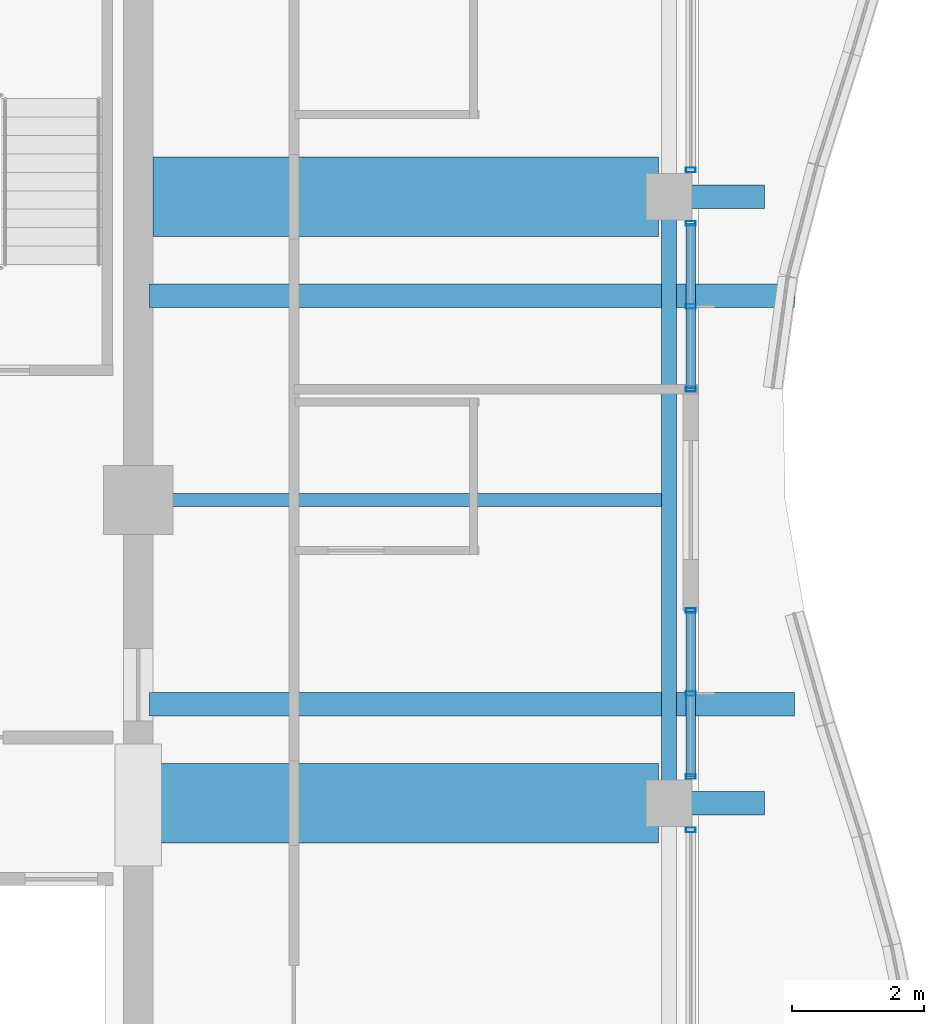
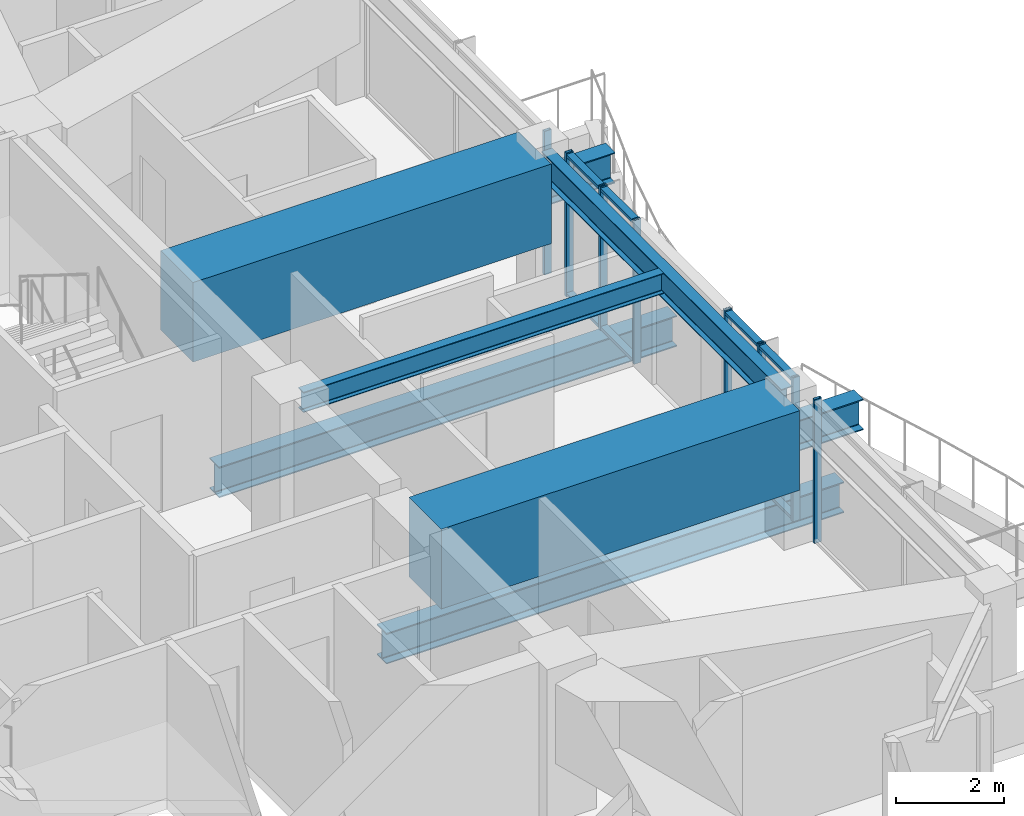
# One storey, part 12 of 31: 12 members, 8 beams, 4 elements without a shape of their own.
"""IFC4 building model written with IfcOpenShell, lengths in metres."""

from ifc_helpers import new_model, si_unit, direction, frame, origin, origin_2d, place, context, subcontext, project, spatial, rectangle, hollow_rectangle, i_section, extrude, material, material_profile, profile_set, type_object, element, aggregate, save


model = new_model("IFC4")

# Units and contexts
model_context = context("Model", 3, precision=1e-05, world=origin(), true_north=direction((0.0, 1.0)))
body_context = subcontext(model_context, "Body", "Model", "MODEL_VIEW")
ifc_project = project(units=[si_unit("LENGTHUNIT", "METRE"), si_unit("AREAUNIT", "SQUARE_METRE"), si_unit("VOLUMEUNIT", "CUBIC_METRE"), si_unit("PLANEANGLEUNIT", "RADIAN"), si_unit("MASSUNIT", "GRAM", prefix="KILO")], contexts=[model_context])

# Site, building, storey
site_placement = place(None, origin())
site = spatial("IfcSite", under=ifc_project, at=site_placement, CompositionType="ELEMENT")
building_placement = place(site_placement, origin())
building = spatial("IfcBuilding", under=site, at=building_placement, Name="Kolvaren Belvedere", CompositionType="ELEMENT")
storey_placement = place(building_placement, frame((0.0, 0.0, 237.39990234375)))
storey = spatial("IfcBuildingStorey", under=building, at=storey_placement, Name="L69", CompositionType="ELEMENT", Elevation=237.39990234375)

# Beams
ifc_material_1 = material(Name="Structural steel ASTM A992 Grade 50", Category="steel")
ifc_material_profile_1 = material_profile(ifc_material_1, i_section(OverallWidth=0.35498046875, OverallDepth=0.696044921875, WebThickness=0.015380859375, FlangeThickness=0.02490234375, FilletRadius=0.02197265625, at=origin_2d()), Name="W27X146")
ifc_profile_set_1 = profile_set([ifc_material_profile_1], Name="Structural steel ASTM A992 Grade 50")
beam_type_1 = type_object("IfcBeamType", Name="BM-CANT-BAL", PredefinedType="BEAM", material=ifc_profile_set_1)
for number, where, z_axis, x_axis, name in (
    (1, (17.949951171875, 4.60009765625, 2.342041015625), (1.0, 0.0, 0.0), (0.0, 1.0, 0.0), "L69 East Picture-Frame Column Corbel P"),
    (2, (17.949951171875, -4.60009765625, 2.342041015625), (1.0, 0.0, 0.0), (0.0, 1.0, 0.0), "L69 East Picture-Frame Column Corbel M"),
):
    element("IfcBeam", number, at=place(storey_placement, frame(where, z_axis=z_axis, x_axis=x_axis)), inside=storey, type_object=beam_type_1, Name=name, PredefinedType="BEAM", context=body_context, shape_type="SweptSolid", body=[
        extrude(i_section(OverallWidth=0.35498046875, OverallDepth=0.696044921875, WebThickness=0.015380859375, FlangeThickness=0.02490234375, FilletRadius=0.02197265625, at=origin_2d()), origin(), (0.0, 0.0, 1.0), 1.449951171875),
    ])
ifc_material_2 = material(Name="Structural steel ASTM A992 Grade 50", Category="steel")
ifc_material_profile_2 = material_profile(ifc_material_2, i_section(OverallWidth=0.35498046875, OverallDepth=0.696044921875, WebThickness=0.015380859375, FlangeThickness=0.02490234375, FilletRadius=0.02197265625, at=origin_2d()), Name="W27X146")
ifc_profile_set_2 = profile_set([ifc_material_profile_2], Name="Structural steel ASTM A992 Grade 50")
beam_type_2 = type_object("IfcBeamType", Name="BM-GIRD-W27X146", PredefinedType="BEAM", material=ifc_profile_set_2)
for number, where, z_axis, x_axis, name in (
    (3, (10.06494140625, -3.10009765625, -0.597900390625), (1.0, 0.0, 0.0), (0.0, 1.0, 0.0), "L69 Balcony Interior Back-Span Girder BAL-E-1"),
    (4, (10.06494140625, 3.10009765625, -0.597900390625), (1.0, 0.0, 0.0), (0.0, 1.0, 0.0), "L69 Balcony Interior Back-Span Girder BAL-E-2"),
):
    element("IfcBeam", number, at=place(storey_placement, frame(where, z_axis=z_axis, x_axis=x_axis)), inside=storey, type_object=beam_type_2, Name=name, PredefinedType="BEAM", context=body_context, shape_type="SweptSolid", body=[
        extrude(i_section(OverallWidth=0.35498046875, OverallDepth=0.696044921875, WebThickness=0.015380859375, FlangeThickness=0.02490234375, FilletRadius=0.02197265625, at=origin_2d()), origin(), (0.0, 0.0, 1.0), 9.7900390625),
    ])
ifc_material_3 = material(Name="Structural steel ASTM A992 Grade 50", Category="steel")
ifc_material_profile_3 = material_profile(ifc_material_3, i_section(OverallWidth=0.19091796875, OverallDepth=0.4599609375, WebThickness=0.010009765625, FlangeThickness=0.01611328125, FilletRadius=0.014892578125, at=origin_2d()), Name="W18X55")
ifc_profile_set_3 = profile_set([ifc_material_profile_3], Name="Structural steel ASTM A992 Grade 50")
beam_type_3 = type_object("IfcBeamType", Name="BM-JOIST-W18X55", PredefinedType="BEAM", material=ifc_profile_set_3)
beam_1_placement = place(storey_placement, frame((10.125, 0.0, 3.02001953125), z_axis=(1.0, 0.0, 0.0), x_axis=(0.0, 1.0, 0.0)))
element("IfcBeam", 5, at=beam_1_placement, inside=storey, type_object=beam_type_3, Name="L69 East Centre Floor Beam", PredefinedType="BEAM", context=body_context, shape_type="SweptSolid", body=[
    extrude(i_section(OverallWidth=0.19091796875, OverallDepth=0.4599609375, WebThickness=0.010009765625, FlangeThickness=0.01611328125, FilletRadius=0.014892578125, at=origin_2d()), origin(), (0.0, 0.0, 1.0), 7.71044921875),
])
ifc_material_4 = material(Name="Structural steel ASTM A992 Grade 50", Category="steel")
ifc_material_profile_4 = material_profile(ifc_material_4, i_section(OverallWidth=0.22900390625, OverallDepth=0.612060546875, WebThickness=0.011962890625, FlangeThickness=0.01953125, FilletRadius=0.01806640625, at=origin_2d()), Name="W24X84")
ifc_profile_set_4 = profile_set([ifc_material_profile_4], Name="Structural steel ASTM A992 Grade 50")
beam_type_4 = type_object("IfcBeamType", Name="BM-SPAN-W24X84", PredefinedType="SPANDREL", material=ifc_profile_set_4)
beam_2_placement = place(storey_placement, frame((17.949951171875, -4.4423828125, 2.944091796875), z_axis=(0.0, 1.0, 0.0), x_axis=(-1.0, 0.0, 0.0)))
element("IfcBeam", 6, at=beam_2_placement, inside=storey, type_object=beam_type_4, Name="L69 Perimeter Spandrel E2-E3", PredefinedType="SPANDREL", context=body_context, shape_type="SweptSolid", body=[
    extrude(i_section(OverallWidth=0.22900390625, OverallDepth=0.612060546875, WebThickness=0.011962890625, FlangeThickness=0.01953125, FilletRadius=0.01806640625, at=origin_2d()), origin(), (0.0, 0.0, 1.0), 8.884765625),
])
ifc_material_5 = material(Name="Concrete C50/60", Category="concrete")
ifc_material_profile_5 = material_profile(ifc_material_5, rectangle(XDim=1.199951171875, YDim=1.800048828125, at=origin_2d()), Name="RC 1200X1800")
ifc_profile_set_5 = profile_set([ifc_material_profile_5], Name="Concrete C50/60")
beam_type_5 = type_object("IfcBeamType", Name="BM-TG-1800", PredefinedType="BEAM", material=ifc_profile_set_5)
for number, where, z_axis, x_axis, name in (
    (7, (10.125, 4.60009765625, 2.35009765625), (1.0, 0.0, 0.0), (0.0, 1.0, 0.0), "L69 East Radial Girder P"),
    (8, (10.125, -4.60009765625, 2.35009765625), (1.0, 0.0, 0.0), (0.0, 1.0, 0.0), "L69 East Radial Girder M"),
):
    element("IfcBeam", number, at=place(storey_placement, frame(where, z_axis=z_axis, x_axis=x_axis)), inside=storey, type_object=beam_type_5, Name=name, PredefinedType="BEAM", context=body_context, shape_type="SweptSolid", body=[
        extrude(rectangle(XDim=1.199951171875, YDim=1.800048828125, at=origin_2d()), origin(), (0.0, 0.0, 1.0), 7.66748046875),
    ])

# Curtain wall, member
ifc_material_6 = material(Name="Anodised pale-metal aluminium AA 6063-T6", Category="aluminium")
curtain_wall_type = type_object("IfcCurtainWallType", Name="CW-Z5-HIGH", PredefinedType="NOTDEFINED", material=ifc_material_6)
curtain_wall_1_placement = place(storey_placement, origin())
curtain_wall_1 = element("IfcCurtainWall", 9, at=curtain_wall_1_placement, inside=storey, type_object=curtain_wall_type, Name="L69 Unitised Curtain Wall FCW-L69-E1-B1", PredefinedType="NOTDEFINED")
ifc_material_7 = material(Name="Anodised pale-metal aluminium AA 6063-T6", Category="aluminium")
ifc_material_profile_6 = material_profile(ifc_material_7, hollow_rectangle(XDim=0.070068359375, YDim=0.14990234375, WallThickness=0.004150390625, at=origin_2d()), Name="ALU-MUL-150X70")
ifc_profile_set_6 = profile_set([ifc_material_profile_6], Name="Anodised pale-metal aluminium AA 6063-T6")
member_type_1 = type_object("IfcMemberType", Name="CW-MUL-150", PredefinedType="MULLION", material=ifc_profile_set_6)
member_1_placement = place(storey_placement, frame((18.280029296875, 5.0048828125, 0.0), z_axis=(0.0, 0.0, 1.0), x_axis=(0.0, 1.0, 0.0)))
member_1 = element("IfcMember", 10, at=member_1_placement, type_object=member_type_1, Name="FCW-L69-E1-B1 Unitised Mullion 3", PredefinedType="MULLION", context=body_context, shape_type="SweptSolid", body=[
    extrude(hollow_rectangle(XDim=0.070068359375, YDim=0.14990234375, WallThickness=0.004150390625, at=origin_2d()), origin(), (0.0, 0.0, 1.0), 3.25),
])
aggregate(curtain_wall_1, [member_1])

# Curtain wall, members
curtain_wall_2_placement = place(storey_placement, origin())
curtain_wall_2 = element("IfcCurtainWall", 11, at=curtain_wall_2_placement, inside=storey, type_object=curtain_wall_type, Name="L69 Unitised Curtain Wall FCW-L69-E1-B2", PredefinedType="NOTDEFINED")
member_2_placement = place(storey_placement, frame((18.280029296875, 4.195068359375, 0.0), z_axis=(0.0, 0.0, 1.0), x_axis=(0.0, 1.0, 0.0)))
member_2 = element("IfcMember", 12, at=member_2_placement, type_object=member_type_1, Name="FCW-L69-E1-B2 Unitised Mullion 1", PredefinedType="MULLION", context=body_context, shape_type="SweptSolid", body=[
    extrude(hollow_rectangle(XDim=0.070068359375, YDim=0.14990234375, WallThickness=0.004150390625, at=origin_2d()), origin(), (0.0, 0.0, 1.0), 3.25),
])
member_3_placement = place(storey_placement, frame((18.280029296875, 2.9375, 0.0), z_axis=(0.0, 0.0, 1.0), x_axis=(0.0, 1.0, 0.0)))
member_3 = element("IfcMember", 13, at=member_3_placement, type_object=member_type_1, Name="FCW-L69-E1-B2 Unitised Mullion 2", PredefinedType="MULLION", context=body_context, shape_type="SweptSolid", body=[
    extrude(hollow_rectangle(XDim=0.070068359375, YDim=0.14990234375, WallThickness=0.004150390625, at=origin_2d()), origin(), (0.0, 0.0, 1.0), 3.25),
])
member_4_placement = place(storey_placement, frame((18.280029296875, 1.679931640625, 0.0), z_axis=(0.0, 0.0, 1.0), x_axis=(0.0, 1.0, 0.0)))
member_4 = element("IfcMember", 14, at=member_4_placement, type_object=member_type_1, Name="FCW-L69-E1-B2 Unitised Mullion 3", PredefinedType="MULLION", context=body_context, shape_type="SweptSolid", body=[
    extrude(hollow_rectangle(XDim=0.070068359375, YDim=0.14990234375, WallThickness=0.004150390625, at=origin_2d()), origin(), (0.0, 0.0, 1.0), 3.25),
])

curtain_wall_3_placement = place(storey_placement, origin())
curtain_wall_3 = element("IfcCurtainWall", 15, at=curtain_wall_3_placement, inside=storey, type_object=curtain_wall_type, Name="L69 Unitised Curtain Wall FCW-L69-E2-B1", PredefinedType="NOTDEFINED")
member_5_placement = place(storey_placement, frame((18.280029296875, -1.679931640625, 0.0), z_axis=(0.0, 0.0, 1.0), x_axis=(0.0, 1.0, 0.0)))
member_5 = element("IfcMember", 16, at=member_5_placement, type_object=member_type_1, Name="FCW-L69-E2-B1 Unitised Mullion 1", PredefinedType="MULLION", context=body_context, shape_type="SweptSolid", body=[
    extrude(hollow_rectangle(XDim=0.070068359375, YDim=0.14990234375, WallThickness=0.004150390625, at=origin_2d()), origin(), (0.0, 0.0, 1.0), 3.25),
])
member_6_placement = place(storey_placement, frame((18.280029296875, -2.9375, 0.0), z_axis=(0.0, 0.0, 1.0), x_axis=(0.0, 1.0, 0.0)))
member_6 = element("IfcMember", 17, at=member_6_placement, type_object=member_type_1, Name="FCW-L69-E2-B1 Unitised Mullion 2", PredefinedType="MULLION", context=body_context, shape_type="SweptSolid", body=[
    extrude(hollow_rectangle(XDim=0.070068359375, YDim=0.14990234375, WallThickness=0.004150390625, at=origin_2d()), origin(), (0.0, 0.0, 1.0), 3.25),
])
member_7_placement = place(storey_placement, frame((18.280029296875, -4.195068359375, 0.0), z_axis=(0.0, 0.0, 1.0), x_axis=(0.0, 1.0, 0.0)))
member_7 = element("IfcMember", 18, at=member_7_placement, type_object=member_type_1, Name="FCW-L69-E2-B1 Unitised Mullion 3", PredefinedType="MULLION", context=body_context, shape_type="SweptSolid", body=[
    extrude(hollow_rectangle(XDim=0.070068359375, YDim=0.14990234375, WallThickness=0.004150390625, at=origin_2d()), origin(), (0.0, 0.0, 1.0), 3.25),
])

# Curtain wall, member
curtain_wall_4_placement = place(storey_placement, origin())
curtain_wall_4 = element("IfcCurtainWall", 19, at=curtain_wall_4_placement, inside=storey, type_object=curtain_wall_type, Name="L69 Unitised Curtain Wall FCW-L69-E2-B2", PredefinedType="NOTDEFINED")
member_8_placement = place(storey_placement, frame((18.280029296875, -5.0048828125, 0.0), z_axis=(0.0, 0.0, 1.0), x_axis=(0.0, 1.0, 0.0)))
member_8 = element("IfcMember", 20, at=member_8_placement, type_object=member_type_1, Name="FCW-L69-E2-B2 Unitised Mullion 1", PredefinedType="MULLION", context=body_context, shape_type="SweptSolid", body=[
    extrude(hollow_rectangle(XDim=0.070068359375, YDim=0.14990234375, WallThickness=0.004150390625, at=origin_2d()), origin(), (0.0, 0.0, 1.0), 3.25),
])
aggregate(curtain_wall_4, [member_8])

# Member
ifc_material_8 = material(Name="Anodised pale-metal aluminium AA 6063-T6", Category="aluminium")
ifc_material_profile_7 = material_profile(ifc_material_8, hollow_rectangle(XDim=0.06494140625, YDim=0.14990234375, WallThickness=0.00390625, at=origin_2d()), Name="ALU-TRN-150X65")
ifc_profile_set_7 = profile_set([ifc_material_profile_7], Name="Anodised pale-metal aluminium AA 6063-T6")
member_type_2 = type_object("IfcMemberType", Name="CW-TRN-150", PredefinedType="USERDEFINED", material=ifc_profile_set_7)
member_9_placement = place(storey_placement, frame((18.280029296875, 4.195068359375, 0.06005859375), z_axis=(0.0, -1.0, 0.0), x_axis=(0.0, 0.0, 1.0)))
member_9 = element("IfcMember", 21, at=member_9_placement, type_object=member_type_2, Name="FCW-L69-E1-B2 Sill Transom", ObjectType="TRANSOM", PredefinedType="USERDEFINED", context=body_context, shape_type="SweptSolid", body=[
    extrude(hollow_rectangle(XDim=0.06494140625, YDim=0.14990234375, WallThickness=0.00390625, at=origin_2d()), origin(), (0.0, 0.0, 1.0), 2.51513671875),
])

member_10_placement = place(storey_placement, frame((18.280029296875, 4.195068359375, 3.190185546875), z_axis=(0.0, -1.0, 0.0), x_axis=(0.0, 0.0, 1.0)))
member_10 = element("IfcMember", 22, at=member_10_placement, type_object=member_type_2, Name="FCW-L69-E1-B2 Head Transom", ObjectType="TRANSOM", PredefinedType="USERDEFINED", context=body_context, shape_type="SweptSolid", body=[
    extrude(hollow_rectangle(XDim=0.06494140625, YDim=0.14990234375, WallThickness=0.00390625, at=origin_2d()), origin(), (0.0, 0.0, 1.0), 2.51513671875),
])

aggregate(curtain_wall_2, [member_2, member_3, member_4, member_9, member_10])

member_11_placement = place(storey_placement, frame((18.280029296875, -1.679931640625, 0.06005859375), z_axis=(0.0, -1.0, 0.0), x_axis=(0.0, 0.0, 1.0)))
member_11 = element("IfcMember", 23, at=member_11_placement, type_object=member_type_2, Name="FCW-L69-E2-B1 Sill Transom", ObjectType="TRANSOM", PredefinedType="USERDEFINED", context=body_context, shape_type="SweptSolid", body=[
    extrude(hollow_rectangle(XDim=0.06494140625, YDim=0.14990234375, WallThickness=0.00390625, at=origin_2d()), origin(), (0.0, 0.0, 1.0), 2.51513671875),
])

member_12_placement = place(storey_placement, frame((18.280029296875, -1.679931640625, 3.190185546875), z_axis=(0.0, -1.0, 0.0), x_axis=(0.0, 0.0, 1.0)))
member_12 = element("IfcMember", 24, at=member_12_placement, type_object=member_type_2, Name="FCW-L69-E2-B1 Head Transom", ObjectType="TRANSOM", PredefinedType="USERDEFINED", context=body_context, shape_type="SweptSolid", body=[
    extrude(hollow_rectangle(XDim=0.06494140625, YDim=0.14990234375, WallThickness=0.00390625, at=origin_2d()), origin(), (0.0, 0.0, 1.0), 2.51513671875),
])

aggregate(curtain_wall_3, [member_5, member_6, member_7, member_11, member_12])

save(model, "model.ifc")
